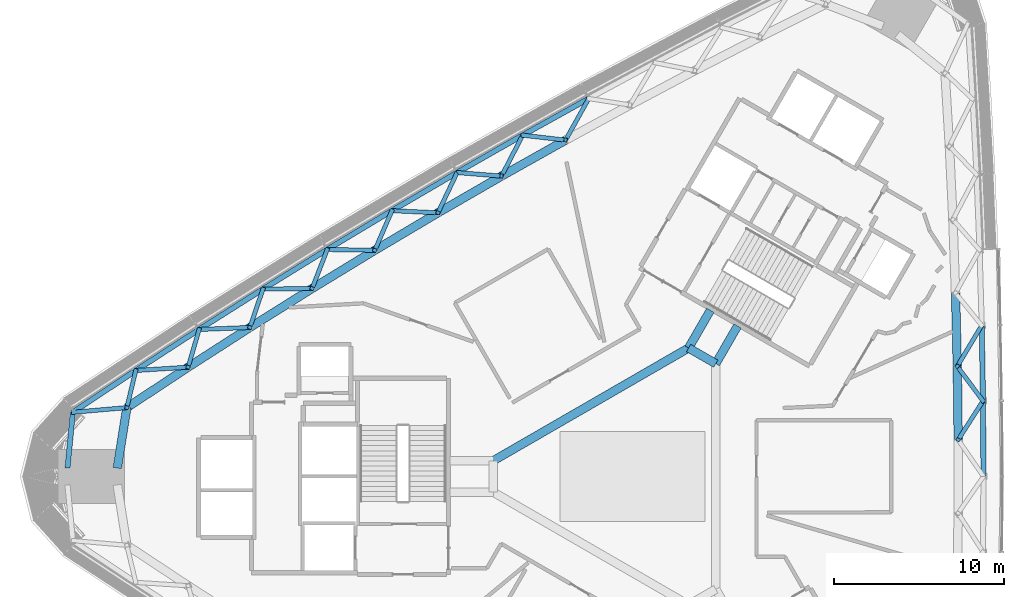
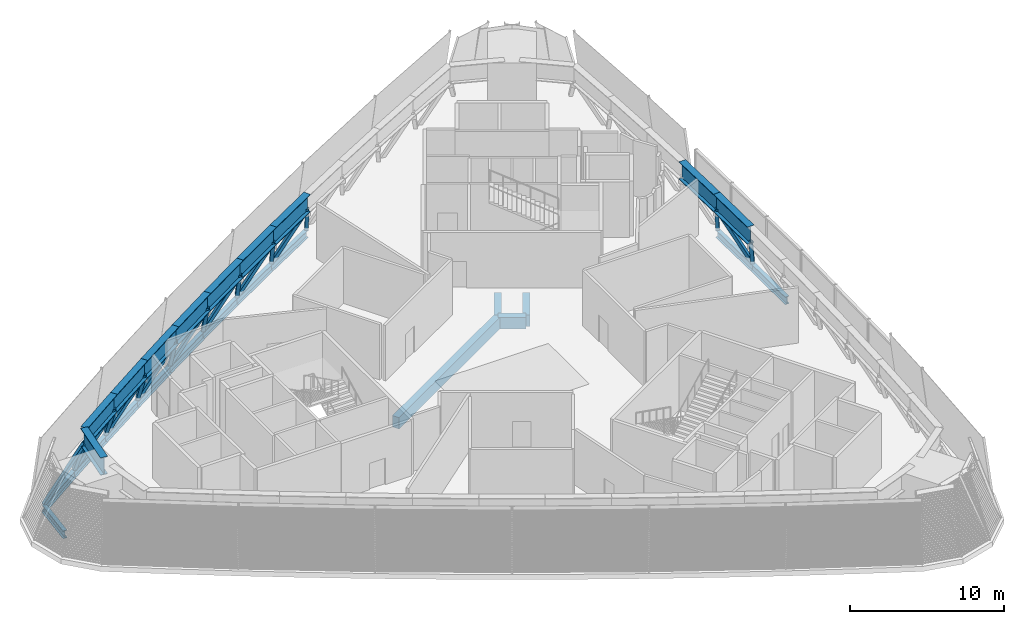
# One storey, part 3 of 17: 25 beams, 19 members.
"""IFC4 building model written with IfcOpenShell, lengths in metres."""

from ifc_helpers import new_model, si_unit, direction, frame, origin, origin_2d, place, context, subcontext, project, spatial, rectangle, hollow_rectangle, i_section, extrude, material, material_profile, profile_set, type_object, element, save


model = new_model("IFC4")

# Units and contexts
model_context = context("Model", 3, precision=1e-05, world=origin(), true_north=direction((0.0, 1.0)))
body_context = subcontext(model_context, "Body", "Model", "MODEL_VIEW")
ifc_project = project(units=[si_unit("LENGTHUNIT", "METRE"), si_unit("AREAUNIT", "SQUARE_METRE"), si_unit("VOLUMEUNIT", "CUBIC_METRE"), si_unit("PLANEANGLEUNIT", "RADIAN"), si_unit("MASSUNIT", "GRAM", prefix="KILO")], contexts=[model_context])

# Site, building, storey
site_placement = place(None, origin())
site = spatial("IfcSite", under=ifc_project, at=site_placement, CompositionType="ELEMENT")
building_placement = place(site_placement, origin())
building = spatial("IfcBuilding", under=site, at=building_placement, Name="Tamra Quay Hotel Tower", CompositionType="ELEMENT")
storey_placement = place(building_placement, frame((0.0, 0.0, 119.0)))
storey = spatial("IfcBuildingStorey", under=building, at=storey_placement, Name="L29", CompositionType="ELEMENT", Elevation=119.0)

# Beams
ifc_material_1 = material(Name="Concrete M60", Category="concrete")
ifc_material_profile_1 = material_profile(ifc_material_1, rectangle(XDim=0.5, YDim=0.89990234375, at=origin_2d()), Name="ATRIUM EDGE BEAM RC 500x900")
ifc_profile_set_1 = profile_set([ifc_material_profile_1], Name="Concrete M60")
beam_type_1 = type_object("IfcBeamType", Name="ATRIUM EDGE BEAM RC 500x900", PredefinedType="BEAM", material=ifc_profile_set_1)
beam_1_placement = place(storey_placement, frame((-8.199951171875, 0.923828125, -0.85009765625), z_axis=(0.866029440693, 0.499993007805, 0.0), x_axis=(-0.499993007805, 0.866029440693, 0.0)))
element("IfcBeam", 1, at=beam_1_placement, inside=storey, type_object=beam_type_1, Name="BM-AB4-L29", PredefinedType="BEAM", context=body_context, shape_type="SweptSolid", body=[
    extrude(rectangle(XDim=0.5, YDim=0.89990234375, at=origin_2d()), origin(), (0.0, 0.0, 1.0), 13.279052734375),
])
beam_2_placement = place(storey_placement, frame((3.300048828125, 7.563232421875, -0.85009765625), z_axis=(0.865989712182, -0.500061814573, 0.0), x_axis=(0.500061814573, 0.865989712182, 0.0)))
element("IfcBeam", 2, at=beam_2_placement, inside=storey, type_object=beam_type_1, Name="BM-AB5-L29", PredefinedType="BEAM", context=body_context, shape_type="SweptSolid", body=[
    extrude(rectangle(XDim=0.5, YDim=0.89990234375, at=origin_2d()), origin(), (0.0, 0.0, 1.0), 1.847412109375),
])
ifc_material_profile_2 = material_profile(ifc_material_1, rectangle(XDim=0.5, YDim=0.89990234375, at=origin_2d()), Name="ATRIUM TIE BEAM RC 500x900")
ifc_profile_set_2 = profile_set([ifc_material_profile_2], Name="Concrete M60")
beam_type_2 = type_object("IfcBeamType", Name="ATRIUM TIE BEAM RC 500x900", PredefinedType="BEAM", material=ifc_profile_set_2)
for number, where, z_axis, x_axis, name in (
    (3, (4.89990234375, 6.639404296875, -0.85009765625), (0.50003311468, 0.866006284171, 0.0), (-0.866006284171, 0.50003311468, 0.0), "BM-TIE-0-L29"),
    (4, (3.300048828125, 7.563232421875, -0.85009765625), (0.499961652204, 0.866047542763, 0.0), (-0.866047542763, 0.499961652204, 0.0), "BM-TIE-5-L29"),
):
    element("IfcBeam", number, at=place(storey_placement, frame(where, z_axis=z_axis, x_axis=x_axis)), inside=storey, type_object=beam_type_2, Name=name, PredefinedType="BEAM", context=body_context, shape_type="SweptSolid", body=[
        extrude(rectangle(XDim=0.5, YDim=0.89990234375, at=origin_2d()), origin(), (0.0, 0.0, 1.0), 2.562255859375),
    ])

# Members
ifc_material_2 = material(Name="Structural steel IS 2062 E350", Category="steel")
ifc_material_profile_3 = material_profile(ifc_material_2, hollow_rectangle(XDim=0.25, YDim=0.25, WallThickness=0.010009765625, at=origin_2d()), Name="SHS 250x250x10")
ifc_profile_set_3 = profile_set([ifc_material_profile_3], Name="Structural steel IS 2062 E350")
member_type = type_object("IfcMemberType", Name="BELT BRACE SHS 250x250x10 Z2", PredefinedType="BRACE", material=ifc_profile_set_3)
member_1_placement = place(storey_placement, frame((20.633544921875, 4.44482421875, -0.39990234375), z_axis=(-0.327420561003, -0.511215477821, 0.794641121179), x_axis=(0.842089873196, -0.539337227958, 0.0)))
element("IfcMember", 5, at=member_1_placement, inside=storey, type_object=member_type, Name="BR-L29-013", PredefinedType="BRACE", context=body_context, shape_type="SweptSolid", body=[
    extrude(hollow_rectangle(XDim=0.25, YDim=0.25, WallThickness=0.010009765625, at=origin_2d()), origin(), (0.0, 0.0, 1.0), 4.46728515625),
])
member_2_placement = place(storey_placement, frame((20.633544921875, 4.44482421875, -0.39990234375), z_axis=(-0.346959965311, 0.467106669404, 0.813283555637), x_axis=(-0.802771456939, -0.5962868336, 0.0)))
element("IfcMember", 6, at=member_2_placement, inside=storey, type_object=member_type, Name="BR-L29-014", PredefinedType="BRACE", context=body_context, shape_type="SweptSolid", body=[
    extrude(hollow_rectangle(XDim=0.25, YDim=0.25, WallThickness=0.010009765625, at=origin_2d()), origin(), (0.0, 0.0, 1.0), 4.36474609375),
])
for number, where, z_axis, x_axis, name in (
    (7, (20.557373046875, 8.888916015625, -0.39990234375), (-0.318001883609, -0.531820498611, 0.784883277487), (0.85826830809, -0.513201238627, 0.0), "BR-L29-015"),
    (8, (-2.580810546875, 22.247802734375, -0.39990234375), (-0.301538393441, -0.541322414864, 0.784885112896), (0.873606071044, -0.48663377671, 0.0), "BR-L29-032"),
):
    element("IfcMember", number, at=place(storey_placement, frame(where, z_axis=z_axis, x_axis=x_axis)), inside=storey, type_object=member_type, Name=name, PredefinedType="BRACE", context=body_context, shape_type="SweptSolid", body=[
        extrude(hollow_rectangle(XDim=0.25, YDim=0.25, WallThickness=0.010009765625, at=origin_2d()), origin(), (0.0, 0.0, 1.0), 4.522705078125),
    ])
member_3_placement = place(storey_placement, frame((-6.467529296875, 20.091552734375, -0.39990234375), z_axis=(0.57801919806, -0.066896744811, 0.813276479562), x_axis=(0.114967068607, 0.9933693035, 0.0)))
element("IfcMember", 9, at=member_3_placement, inside=storey, type_object=member_type, Name="BR-L29-033", PredefinedType="BRACE", context=body_context, shape_type="SweptSolid", body=[
    extrude(hollow_rectangle(XDim=0.25, YDim=0.25, WallThickness=0.010009765625, at=origin_2d()), origin(), (0.0, 0.0, 1.0), 4.36474609375),
])
member_4_placement = place(storey_placement, frame((-6.467529296875, 20.091552734375, -0.39990234375), z_axis=(-0.279003053541, -0.539150856647, 0.794653163268), x_axis=(0.888128949602, -0.459594352531, 0.0)))
element("IfcMember", 10, at=member_4_placement, inside=storey, type_object=member_type, Name="BR-L29-034", PredefinedType="BRACE", context=body_context, shape_type="SweptSolid", body=[
    extrude(hollow_rectangle(XDim=0.25, YDim=0.25, WallThickness=0.010009765625, at=origin_2d()), origin(), (0.0, 0.0, 1.0), 4.467041015625),
])
for number, where, z_axis, x_axis, name in (
    (11, (-10.32958984375, 17.89111328125, -0.39990234375), (0.592551426741, -0.047120946013, 0.804153233603), (0.079271867167, 0.99685303384, 0.0), "BR-L29-035"),
    (12, (-10.32958984375, 17.89111328125, -0.39990234375), (-0.255405450979, -0.536749653909, 0.804156616984), (0.902984309672, -0.429673523139, 0.0), "BR-L29-036"),
):
    element("IfcMember", number, at=place(storey_placement, frame(where, z_axis=z_axis, x_axis=x_axis)), inside=storey, type_object=member_type, Name=name, PredefinedType="BRACE", context=body_context, shape_type="SweptSolid", body=[
        extrude(hollow_rectangle(XDim=0.25, YDim=0.25, WallThickness=0.010009765625, at=origin_2d()), origin(), (0.0, 0.0, 1.0), 4.414306640625),
    ])
member_5_placement = place(storey_placement, frame((-14.166015625, 15.646728515625, -0.39990234375), z_axis=(0.606424853994, -0.027982112946, 0.794648285604), x_axis=(0.04609370994, 0.998937120095, 0.0)))
element("IfcMember", 13, at=member_5_placement, inside=storey, type_object=member_type, Name="BR-L29-037", PredefinedType="BRACE", context=body_context, shape_type="SweptSolid", body=[
    extrude(hollow_rectangle(XDim=0.25, YDim=0.25, WallThickness=0.010009765625, at=origin_2d()), origin(), (0.0, 0.0, 1.0), 4.467041015625),
])
member_6_placement = place(storey_placement, frame((-14.166015625, 15.646728515625, -0.39990234375), z_axis=(-0.231066445159, -0.534009041863, 0.813291240043), x_axis=(0.917767092513, -0.397119080252, 0.0)))
element("IfcMember", 14, at=member_6_placement, inside=storey, type_object=member_type, Name="BR-L29-038", PredefinedType="BRACE", context=body_context, shape_type="SweptSolid", body=[
    extrude(hollow_rectangle(XDim=0.25, YDim=0.25, WallThickness=0.010009765625, at=origin_2d()), origin(), (0.0, 0.0, 1.0), 4.36474609375),
])
member_7_placement = place(storey_placement, frame((-17.976806640625, 13.35888671875, -0.39990234375), z_axis=(0.619584819153, -0.009500516481, 0.784872213842), x_axis=(0.015331879502, 0.999882459828, 0.0)))
element("IfcMember", 15, at=member_7_placement, inside=storey, type_object=member_type, Name="BR-L29-039", PredefinedType="BRACE", context=body_context, shape_type="SweptSolid", body=[
    extrude(hollow_rectangle(XDim=0.25, YDim=0.25, WallThickness=0.010009765625, at=origin_2d()), origin(), (0.0, 0.0, 1.0), 4.522705078125),
])
member_8_placement = place(storey_placement, frame((-17.976806640625, 13.35888671875, -0.39990234375), z_axis=(-0.205679134807, -0.530989124274, 0.82203810338), x_axis=(0.932488287788, -0.361200211986, 0.0)))
element("IfcMember", 16, at=member_8_placement, inside=storey, type_object=member_type, Name="BR-L29-040", PredefinedType="BRACE", context=body_context, shape_type="SweptSolid", body=[
    extrude(hollow_rectangle(XDim=0.25, YDim=0.25, WallThickness=0.010009765625, at=origin_2d()), origin(), (0.0, 0.0, 1.0), 4.318359375),
])
member_9_placement = place(storey_placement, frame((-21.760986328125, 11.02734375, -0.39990234375), z_axis=(0.632117792655, 0.008419710946, 0.774826564256), x_axis=(-0.013318663448, 0.999911302668, 0.0)))
element("IfcMember", 17, at=member_9_placement, inside=storey, type_object=member_type, Name="BR-L29-041", PredefinedType="BRACE", context=body_context, shape_type="SweptSolid", body=[
    extrude(hollow_rectangle(XDim=0.25, YDim=0.25, WallThickness=0.010009765625, at=origin_2d()), origin(), (0.0, 0.0, 1.0), 4.581298828125),
])
member_10_placement = place(storey_placement, frame((-21.760986328125, 11.02734375, -0.39990234375), z_axis=(-0.179538333068, -0.527593721125, 0.830307685373), x_axis=(0.946687145124, -0.322154387301, 0.0)))
element("IfcMember", 18, at=member_10_placement, inside=storey, type_object=member_type, Name="BR-L29-042", PredefinedType="BRACE", context=body_context, shape_type="SweptSolid", body=[
    extrude(hollow_rectangle(XDim=0.25, YDim=0.25, WallThickness=0.010009765625, at=origin_2d()), origin(), (0.0, 0.0, 1.0), 4.275390625),
])
member_11_placement = place(storey_placement, frame((-25.5185546875, 8.653076171875, -0.39990234375), z_axis=(0.644011178893, 0.025556416505, 0.764589086397), x_axis=(-0.039651978917, 0.999213551033, 0.0)))
element("IfcMember", 19, at=member_11_placement, inside=storey, type_object=member_type, Name="BR-L29-043", PredefinedType="BRACE", context=body_context, shape_type="SweptSolid", body=[
    extrude(hollow_rectangle(XDim=0.25, YDim=0.25, WallThickness=0.010009765625, at=origin_2d()), origin(), (0.0, 0.0, 1.0), 4.642822265625),
])
member_12_placement = place(storey_placement, frame((-25.5185546875, 8.653076171875, -0.39990234375), z_axis=(-0.152563414814, -0.523856772667, 0.83803250903), x_axis=(0.960112317806, -0.279614622646, 0.0)))
element("IfcMember", 20, at=member_12_placement, inside=storey, type_object=member_type, Name="BR-L29-044", PredefinedType="BRACE", context=body_context, shape_type="SweptSolid", body=[
    extrude(hollow_rectangle(XDim=0.25, YDim=0.25, WallThickness=0.010009765625, at=origin_2d()), origin(), (0.0, 0.0, 1.0), 4.23583984375),
])
member_13_placement = place(storey_placement, frame((-29.248779296875, 6.23583984375, -0.39990234375), z_axis=(0.65525726514, 0.04212071717, 0.754230575929), x_axis=(-0.064148793555, 0.997940345053, 0.0)))
element("IfcMember", 21, at=member_13_placement, inside=storey, type_object=member_type, Name="BR-L29-045", PredefinedType="BRACE", context=body_context, shape_type="SweptSolid", body=[
    extrude(hollow_rectangle(XDim=0.25, YDim=0.25, WallThickness=0.010009765625, at=origin_2d()), origin(), (0.0, 0.0, 1.0), 4.70654296875),
])
member_14_placement = place(storey_placement, frame((-29.248779296875, 6.23583984375, -0.39990234375), z_axis=(-0.124750019863, -0.519636732318, 0.845230796274), x_axis=(0.972371501354, -0.2334387786, 0.0)))
element("IfcMember", 22, at=member_14_placement, inside=storey, type_object=member_type, Name="BR-L29-046", PredefinedType="BRACE", context=body_context, shape_type="SweptSolid", body=[
    extrude(hollow_rectangle(XDim=0.25, YDim=0.25, WallThickness=0.010009765625, at=origin_2d()), origin(), (0.0, 0.0, 1.0), 4.19970703125),
])
member_15_placement = place(storey_placement, frame((-32.951416015625, 3.776611328125, -0.39990234375), z_axis=(0.665971189165, 0.058003942282, 0.743718977761), x_axis=(-0.086768290439, 0.996228519856, 0.0)))
element("IfcMember", 23, at=member_15_placement, inside=storey, type_object=member_type, Name="BR-L29-047", PredefinedType="BRACE", context=body_context, shape_type="SweptSolid", body=[
    extrude(hollow_rectangle(XDim=0.25, YDim=0.25, WallThickness=0.010009765625, at=origin_2d()), origin(), (0.0, 0.0, 1.0), 4.77294921875),
])

# Beams
ifc_material_profile_4 = material_profile(ifc_material_2, i_section(OverallWidth=0.304931640625, OverallDepth=0.6201171875, WebThickness=0.02099609375, FlangeThickness=0.0400390625, at=origin_2d()), Name="WPB 600x300x285")
ifc_profile_set_4 = profile_set([ifc_material_profile_4], Name="Structural steel IS 2062 E350")
beam_type_3 = type_object("IfcBeamType", Name="BELT CHORD WPB 600x300x285 Z2", PredefinedType="BEAM", material=ifc_profile_set_4)
for number, where, z_axis, x_axis, name in (
    (24, (20.658935546875, 0.0, -0.7099609375), (-0.005712309305, 0.999983684628, 0.0), (-0.999983684628, -0.005712309305, 0.0), "BM-CHB-L29-006"),
    (25, (20.633544921875, 4.44482421875, -0.7099609375), (-0.017137514712, 0.999853142011, 0.0), (-0.999853142011, -0.017137514712, 0.0), "BM-CHB-L29-007"),
    (26, (-2.580810546875, 22.247802734375, -0.7099609375), (-0.874447303587, -0.485120514151, 0.0), (0.485120514151, -0.874447303587, 0.0), "BM-CHB-L29-018"),
    (27, (-6.467529296875, 20.091552734375, -0.7099609375), (-0.868867759144, -0.495044257739, 0.0), (0.495044257739, -0.868867759144, 0.0), "BM-CHB-L29-019"),
    (28, (-10.32958984375, 17.89111328125, -0.7099609375), (-0.863144691762, -0.504956672481, 0.0), (0.504956672481, -0.863144691762, 0.0), "BM-CHB-L29-020"),
    (29, (-14.166015625, 15.646728515625, -0.7099609375), (-0.857357193624, -0.514721907967, 0.0), (0.514721907967, -0.857357193624, 0.0), "BM-CHB-L29-021"),
    (30, (-17.976806640625, 13.35888671875, -0.7099609375), (-0.851375304544, -0.524557042477, 0.0), (0.524557042477, -0.851375304544, 0.0), "BM-CHB-L29-022"),
    (31, (-21.760986328125, 11.02734375, -0.7099609375), (-0.845380554477, -0.534164504729, 0.0), (0.534164504729, -0.845380554477, 0.0), "BM-CHB-L29-023"),
):
    element("IfcBeam", number, at=place(storey_placement, frame(where, z_axis=z_axis, x_axis=x_axis)), inside=storey, type_object=beam_type_3, Name=name, PredefinedType="BEAM", context=body_context, shape_type="SweptSolid", body=[
        extrude(i_section(OverallWidth=0.304931640625, OverallDepth=0.6201171875, WebThickness=0.02099609375, FlangeThickness=0.0400390625, at=origin_2d()), origin(), (0.0, 0.0, 1.0), 4.44482421875),
    ])
beam_3_placement = place(storey_placement, frame((-25.5185546875, 8.653076171875, -0.7099609375), z_axis=(-0.839204512616, -0.543815948649, 0.0), x_axis=(0.543815948649, -0.839204512616, 0.0)))
element("IfcBeam", 32, at=beam_3_placement, inside=storey, type_object=beam_type_3, Name="BM-CHB-L29-024", PredefinedType="BEAM", context=body_context, shape_type="SweptSolid", body=[
    extrude(i_section(OverallWidth=0.304931640625, OverallDepth=0.6201171875, WebThickness=0.02099609375, FlangeThickness=0.0400390625, at=origin_2d()), origin(), (0.0, 0.0, 1.0), 4.445068359375),
])
beam_4_placement = place(storey_placement, frame((-29.248779296875, 6.23583984375, -0.7099609375), z_axis=(-0.833003924597, -0.553267079814, 0.0), x_axis=(0.553267079814, -0.833003924597, 0.0)))
element("IfcBeam", 33, at=beam_4_placement, inside=storey, type_object=beam_type_3, Name="BM-CHB-L29-025", PredefinedType="BEAM", context=body_context, shape_type="SweptSolid", body=[
    extrude(i_section(OverallWidth=0.304931640625, OverallDepth=0.6201171875, WebThickness=0.02099609375, FlangeThickness=0.0400390625, at=origin_2d()), origin(), (0.0, 0.0, 1.0), 4.44482421875),
])
beam_5_placement = place(storey_placement, frame((-32.951416015625, 3.776611328125, -0.7099609375), z_axis=(-0.095540102375, -0.995425581768, 0.0), x_axis=(0.995425581768, -0.095540102375, 0.0)))
element("IfcBeam", 34, at=beam_5_placement, inside=storey, type_object=beam_type_3, Name="BM-CHB-L29-026", PredefinedType="BEAM", context=body_context, shape_type="SweptSolid", body=[
    extrude(i_section(OverallWidth=0.304931640625, OverallDepth=0.6201171875, WebThickness=0.02099609375, FlangeThickness=0.0400390625, at=origin_2d()), origin(), (0.0, 0.0, 1.0), 3.2939453125),
])
ifc_material_profile_5 = material_profile(ifc_material_2, i_section(OverallWidth=0.5, OverallDepth=1.39990234375, WebThickness=0.02490234375, FlangeThickness=0.050048828125, at=origin_2d()), Name="WPG 1400x500x25x50")
ifc_profile_set_5 = profile_set([ifc_material_profile_5], Name="Structural steel IS 2062 E350")
beam_type_4 = type_object("IfcBeamType", Name="BELT TOP CHORD WPG 1400x500x25x50 Z2", PredefinedType="USERDEFINED", material=ifc_profile_set_5)
beam_6_placement = place(storey_placement, frame((19.1708984375, 2.1611328125, 3.699951171875), z_axis=(-0.011973160331, 0.999928319147, 0.0), x_axis=(-0.999928319147, -0.011973160331, 0.0)))
element("IfcBeam", 35, at=beam_6_placement, inside=storey, type_object=beam_type_4, Name="BM-CHT-L29-006", ObjectType="TRANSFER GIRDER", PredefinedType="USERDEFINED", context=body_context, shape_type="SweptSolid", body=[
    extrude(i_section(OverallWidth=0.5, OverallDepth=1.39990234375, WebThickness=0.02490234375, FlangeThickness=0.050048828125, at=origin_2d()), origin(), (0.0, 0.0, 1.0), 4.32275390625),
])
beam_7_placement = place(storey_placement, frame((19.119140625, 6.483642578125, 3.699951171875), z_axis=(-0.023892832606, 0.999714525527, 0.0), x_axis=(-0.999714525527, -0.023892832606, 0.0)))
element("IfcBeam", 36, at=beam_7_placement, inside=storey, type_object=beam_type_4, Name="BM-CHT-L29-007", ObjectType="TRANSFER GIRDER", PredefinedType="USERDEFINED", context=body_context, shape_type="SweptSolid", body=[
    extrude(i_section(OverallWidth=0.5, OverallDepth=1.39990234375, WebThickness=0.02490234375, FlangeThickness=0.050048828125, at=origin_2d()), origin(), (0.0, 0.0, 1.0), 4.322265625),
])
beam_8_placement = place(storey_placement, frame((-3.944580078125, 19.799560546875, 3.699951171875), z_axis=(-0.871947832334, -0.489598792571, 0.0), x_axis=(0.489598792571, -0.871947832334, 0.0)))
element("IfcBeam", 37, at=beam_8_placement, inside=storey, type_object=beam_type_4, Name="BM-CHT-L29-017", ObjectType="TRANSFER GIRDER", PredefinedType="USERDEFINED", context=body_context, shape_type="SweptSolid", body=[
    extrude(i_section(OverallWidth=0.5, OverallDepth=1.39990234375, WebThickness=0.02490234375, FlangeThickness=0.050048828125, at=origin_2d()), origin(), (0.0, 0.0, 1.0), 4.32275390625),
])
beam_9_placement = place(storey_placement, frame((-7.7138671875, 17.68310546875, 3.699951171875), z_axis=(-0.865999338476, -0.500045143721, 0.0), x_axis=(0.500045143721, -0.865999338476, 0.0)))
element("IfcBeam", 38, at=beam_9_placement, inside=storey, type_object=beam_type_4, Name="BM-CHT-L29-018", ObjectType="TRANSFER GIRDER", PredefinedType="USERDEFINED", context=body_context, shape_type="SweptSolid", body=[
    extrude(i_section(OverallWidth=0.5, OverallDepth=1.39990234375, WebThickness=0.02490234375, FlangeThickness=0.050048828125, at=origin_2d()), origin(), (0.0, 0.0, 1.0), 4.322265625),
])
beam_10_placement = place(storey_placement, frame((-11.45703125, 15.521728515625, 3.699951171875), z_axis=(-0.860004243516, -0.510286881209, 0.0), x_axis=(0.510286881209, -0.860004243516, 0.0)))
element("IfcBeam", 39, at=beam_10_placement, inside=storey, type_object=beam_type_4, Name="BM-CHT-L29-019", ObjectType="TRANSFER GIRDER", PredefinedType="USERDEFINED", context=body_context, shape_type="SweptSolid", body=[
    extrude(i_section(OverallWidth=0.5, OverallDepth=1.39990234375, WebThickness=0.02490234375, FlangeThickness=0.050048828125, at=origin_2d()), origin(), (0.0, 0.0, 1.0), 4.32275390625),
])
beam_11_placement = place(storey_placement, frame((-15.174560546875, 13.31591796875, 3.699951171875), z_axis=(-0.853823118796, -0.520563235169, 0.0), x_axis=(0.520563235169, -0.853823118796, 0.0)))
element("IfcBeam", 40, at=beam_11_placement, inside=storey, type_object=beam_type_4, Name="BM-CHT-L29-020", ObjectType="TRANSFER GIRDER", PredefinedType="USERDEFINED", context=body_context, shape_type="SweptSolid", body=[
    extrude(i_section(OverallWidth=0.5, OverallDepth=1.39990234375, WebThickness=0.02490234375, FlangeThickness=0.050048828125, at=origin_2d()), origin(), (0.0, 0.0, 1.0), 4.322265625),
])
beam_12_placement = place(storey_placement, frame((-18.864990234375, 11.06591796875, 3.699951171875), z_axis=(-0.847534719417, -0.530739954576, 0.0), x_axis=(0.530739954576, -0.847534719417, 0.0)))
element("IfcBeam", 41, at=beam_12_placement, inside=storey, type_object=beam_type_4, Name="BM-CHT-L29-021", ObjectType="TRANSFER GIRDER", PredefinedType="USERDEFINED", context=body_context, shape_type="SweptSolid", body=[
    extrude(i_section(OverallWidth=0.5, OverallDepth=1.39990234375, WebThickness=0.02490234375, FlangeThickness=0.050048828125, at=origin_2d()), origin(), (0.0, 0.0, 1.0), 4.322509765625),
])
beam_13_placement = place(storey_placement, frame((-22.528564453125, 8.771728515625, 3.699951171875), z_axis=(-0.841171135304, -0.540769009033, 0.0), x_axis=(0.540769009033, -0.841171135304, 0.0)))
element("IfcBeam", 42, at=beam_13_placement, inside=storey, type_object=beam_type_4, Name="BM-CHT-L29-022", ObjectType="TRANSFER GIRDER", PredefinedType="USERDEFINED", context=body_context, shape_type="SweptSolid", body=[
    extrude(i_section(OverallWidth=0.5, OverallDepth=1.39990234375, WebThickness=0.02490234375, FlangeThickness=0.050048828125, at=origin_2d()), origin(), (0.0, 0.0, 1.0), 4.32275390625),
])
beam_14_placement = place(storey_placement, frame((-26.164794921875, 6.43408203125, 3.699951171875), z_axis=(-0.83467379751, -0.550744633883, 0.0), x_axis=(0.550744633883, -0.83467379751, 0.0)))
element("IfcBeam", 43, at=beam_14_placement, inside=storey, type_object=beam_type_4, Name="BM-CHT-L29-023", ObjectType="TRANSFER GIRDER", PredefinedType="USERDEFINED", context=body_context, shape_type="SweptSolid", body=[
    extrude(i_section(OverallWidth=0.5, OverallDepth=1.39990234375, WebThickness=0.02490234375, FlangeThickness=0.050048828125, at=origin_2d()), origin(), (0.0, 0.0, 1.0), 4.322509765625),
])
beam_15_placement = place(storey_placement, frame((-29.772705078125, 4.053466796875, 3.699951171875), z_axis=(-0.156331258043, -0.98770468145, 0.0), x_axis=(0.98770468145, -0.156331258043, 0.0)))
element("IfcBeam", 44, at=beam_15_placement, inside=storey, type_object=beam_type_4, Name="BM-CHT-L29-024", ObjectType="TRANSFER GIRDER", PredefinedType="USERDEFINED", context=body_context, shape_type="SweptSolid", body=[
    extrude(i_section(OverallWidth=0.5, OverallDepth=1.39990234375, WebThickness=0.02490234375, FlangeThickness=0.050048828125, at=origin_2d()), origin(), (0.0, 0.0, 1.0), 3.6044921875),
])

save(model, "model.ifc")
